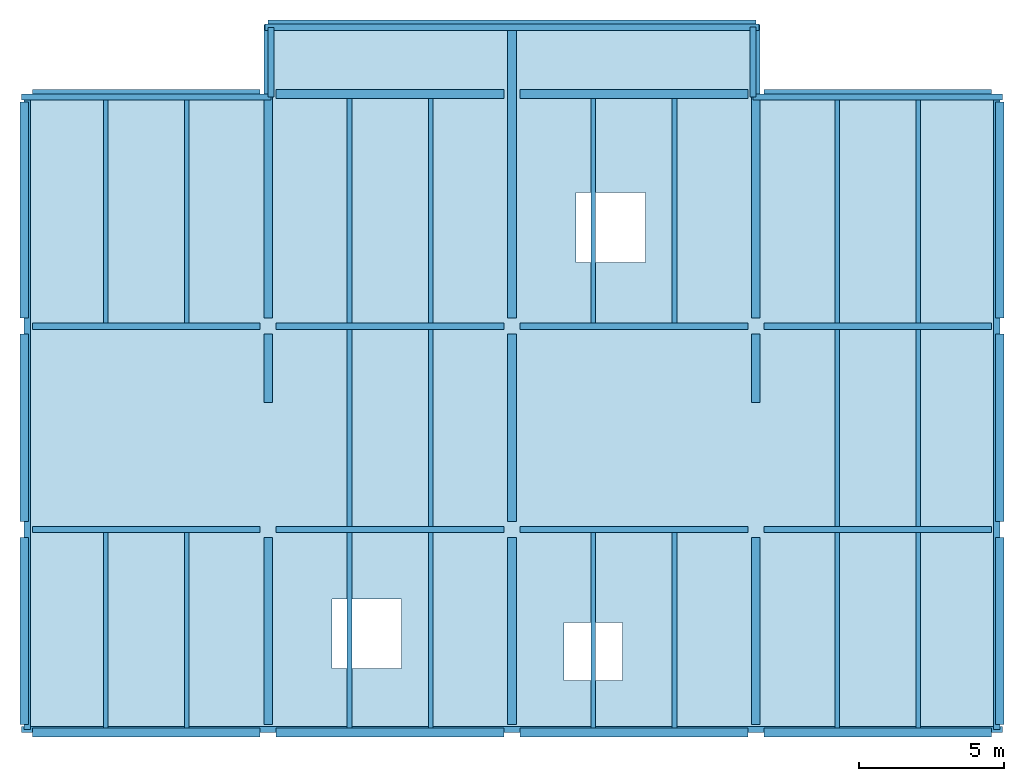
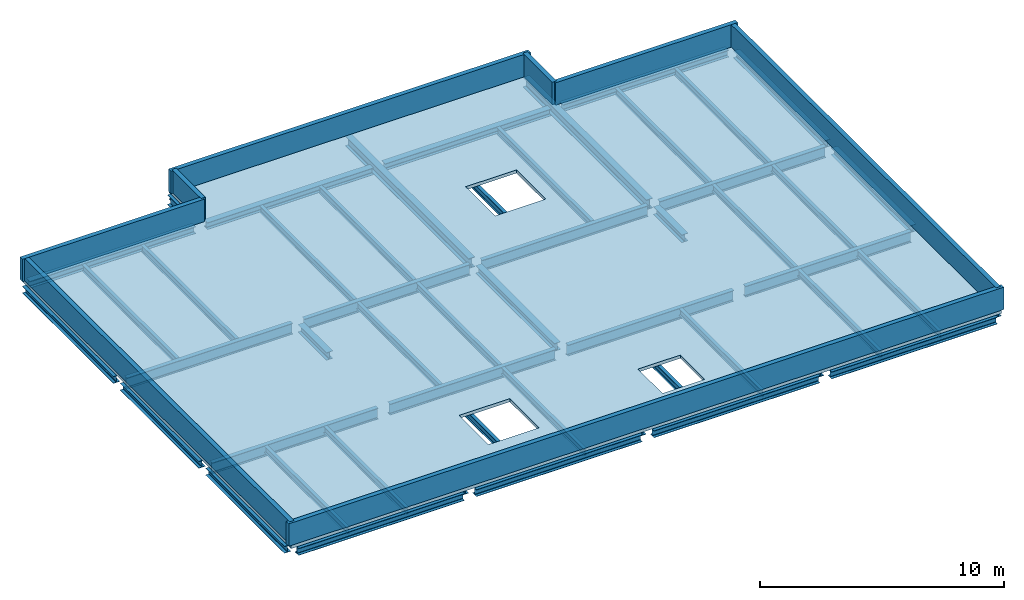
# One storey: 52 beams, 8 walls, 1 slab.
"""IFC4 building model written with IfcOpenShell, lengths in metres."""

from ifc_helpers import new_model, si_unit, direction, frame, frame_2d, origin, origin_2d, place, context, subcontext, project, spatial, polyline, rectangle, i_section, outline, extrude, material, layer, layer_set, material_profile, profile_set, type_object, element, save


model = new_model("IFC4")

# Units and contexts
model_context = context("Model", 3, precision=1e-05, world=origin(), true_north=direction((0.0, 1.0)))
body_context = subcontext(model_context, "Body", "Model", "MODEL_VIEW")
ifc_project = project(units=[si_unit("LENGTHUNIT", "METRE"), si_unit("AREAUNIT", "SQUARE_METRE"), si_unit("VOLUMEUNIT", "CUBIC_METRE"), si_unit("PLANEANGLEUNIT", "RADIAN"), si_unit("MASSUNIT", "GRAM", prefix="KILO"), si_unit("THERMODYNAMICTEMPERATUREUNIT", "KELVIN"), si_unit("POWERUNIT", "WATT")], contexts=[model_context])

# Site, building, storey
site_placement = place(None, origin())
site = spatial("IfcSite", under=ifc_project, at=site_placement, CompositionType="ELEMENT")
building_placement = place(site_placement, origin())
building = spatial("IfcBuilding", under=site, at=building_placement, Name="Mavoryth Pier Ferry Terminal", CompositionType="ELEMENT")
storey_placement = place(building_placement, frame((0.0, 0.0, 19.52001953125)))
storey = spatial("IfcBuildingStorey", under=building, at=storey_placement, Name="ROOF", CompositionType="ELEMENT", Elevation=19.52001953125)

# Beams
ifc_material_1 = material(Name="Steel S355J2", Category="steel")
ifc_material_profile_1 = material_profile(ifc_material_1, i_section(OverallWidth=0.300048828125, OverallDepth=0.389892578125, WebThickness=0.010986328125, FlangeThickness=0.01904296875, FilletRadius=0.027099609375, at=origin_2d()), Name="HEA 400", Category="steel")
ifc_profile_set_1 = profile_set([ifc_material_profile_1], Name="Steel S355J2 - HEA 400")
beam_type_1 = type_object("IfcBeamType", Name="Beam-Steel-HEA400", PredefinedType="BEAM", material=ifc_profile_set_1)
beam_1_placement = place(storey_placement, frame((50.39990234375, 0.27490234375, -0.35498046875), z_axis=(0.0, 1.0, 0.0), x_axis=(-1.0, 0.0, 0.0)))
element("IfcBeam", 1, at=beam_1_placement, inside=storey, type_object=beam_type_1, Name="Beam BOF-SB04-1537", PredefinedType="BEAM", context=body_context, shape_type="SweptSolid", body=[
    extrude(i_section(OverallWidth=0.300048828125, OverallDepth=0.389892578125, WebThickness=0.010986328125, FlangeThickness=0.01904296875, FilletRadius=0.027099609375, at=origin_2d()), origin(), (0.0, 0.0, 1.0), 6.4501953125),
])
beam_2_placement = place(storey_placement, frame((50.39990234375, 11.3798828125, -0.35498046875), z_axis=(0.0, 1.0, 0.0), x_axis=(-1.0, 0.0, 0.0)))
element("IfcBeam", 2, at=beam_2_placement, inside=storey, type_object=beam_type_1, Name="Beam BOF-SB04-1538", PredefinedType="BEAM", context=body_context, shape_type="SweptSolid", body=[
    extrude(i_section(OverallWidth=0.300048828125, OverallDepth=0.389892578125, WebThickness=0.010986328125, FlangeThickness=0.01904296875, FilletRadius=0.027099609375, at=origin_2d()), origin(), (0.0, 0.0, 1.0), 2.34521484375),
])
for number, where, z_axis, x_axis, name in (
    (3, (58.800048828125, 0.27490234375, -0.35498046875), (0.0, 1.0, 0.0), (-1.0, 0.0, 0.0), "Beam BOF-SB04-1539"),
    (4, (58.800048828125, 7.27490234375, -0.35498046875), (0.0, 1.0, 0.0), (-1.0, 0.0, 0.0), "Beam BOF-SB04-1540"),
    (5, (67.199951171875, 0.27490234375, -0.35498046875), (0.0, 1.0, 0.0), (-1.0, 0.0, 0.0), "Beam BOF-SB04-1541"),
):
    element("IfcBeam", number, at=place(storey_placement, frame(where, z_axis=z_axis, x_axis=x_axis)), inside=storey, type_object=beam_type_1, Name=name, PredefinedType="BEAM", context=body_context, shape_type="SweptSolid", body=[
        extrude(i_section(OverallWidth=0.300048828125, OverallDepth=0.389892578125, WebThickness=0.010986328125, FlangeThickness=0.01904296875, FilletRadius=0.027099609375, at=origin_2d()), origin(), (0.0, 0.0, 1.0), 6.4501953125),
    ])
beam_3_placement = place(storey_placement, frame((67.199951171875, 11.3798828125, -0.35498046875), z_axis=(0.0, 1.0, 0.0), x_axis=(-1.0, 0.0, 0.0)))
element("IfcBeam", 6, at=beam_3_placement, inside=storey, type_object=beam_type_1, Name="Beam BOF-SB04-1542", PredefinedType="BEAM", context=body_context, shape_type="SweptSolid", body=[
    extrude(i_section(OverallWidth=0.300048828125, OverallDepth=0.389892578125, WebThickness=0.010986328125, FlangeThickness=0.01904296875, FilletRadius=0.027099609375, at=origin_2d()), origin(), (0.0, 0.0, 1.0), 2.34521484375),
])
ifc_material_profile_2 = material_profile(ifc_material_1, i_section(OverallWidth=0.300048828125, OverallDepth=0.5, WebThickness=0.014404296875, FlangeThickness=0.028076171875, FilletRadius=0.027099609375, at=origin_2d()), Name="HEB 500", Category="steel")
ifc_profile_set_2 = profile_set([ifc_material_profile_2], Name="Steel S355J2 - HEB 500")
beam_type_2 = type_object("IfcBeamType", Name="Beam-Steel-HEB500", PredefinedType="BEAM", material=ifc_profile_set_2)
for number, where, z_axis, x_axis, name in (
    (7, (50.39990234375, 14.27490234375, -0.409912109375), (0.0, 1.0, 0.0), (-1.0, 0.0, 0.0), "Beam BOF-SB01-1600"),
    (8, (58.800048828125, 14.27490234375, -0.409912109375), (0.0, 1.0, 0.0), (-1.0, 0.0, 0.0), "Beam BOF-SB01-1601"),
    (9, (67.199951171875, 14.27490234375, -0.409912109375), (0.0, 1.0, 0.0), (-1.0, 0.0, 0.0), "Beam BOF-SB01-1602"),
):
    element("IfcBeam", number, at=place(storey_placement, frame(where, z_axis=z_axis, x_axis=x_axis)), inside=storey, type_object=beam_type_2, Name=name, PredefinedType="BEAM", context=body_context, shape_type="SweptSolid", body=[
        extrude(i_section(OverallWidth=0.300048828125, OverallDepth=0.5, WebThickness=0.014404296875, FlangeThickness=0.028076171875, FilletRadius=0.027099609375, at=origin_2d()), origin(), (0.0, 0.0, 1.0), 10.125),
    ])
ifc_material_profile_3 = material_profile(ifc_material_1, i_section(OverallWidth=0.2099609375, OverallDepth=0.550048828125, WebThickness=0.010986328125, FlangeThickness=0.01708984375, FilletRadius=0.02392578125, at=origin_2d()), Name="IPE 550", Category="steel")
ifc_profile_set_3 = profile_set([ifc_material_profile_3], Name="Steel S355J2 - IPE 550")
beam_type_3 = type_object("IfcBeamType", Name="Beam-Steel-IPE550", PredefinedType="BEAM", material=ifc_profile_set_3)
beam_4_placement = place(storey_placement, frame((42.27490234375, 7.0, -0.43505859375), z_axis=(1.0, 0.0, 0.0), x_axis=(0.0, 1.0, 0.0)))
element("IfcBeam", 10, at=beam_4_placement, inside=storey, type_object=beam_type_3, Name="Beam BOF-SB07-1522", PredefinedType="BEAM", context=body_context, shape_type="SweptSolid", body=[
    extrude(i_section(OverallWidth=0.2099609375, OverallDepth=0.550048828125, WebThickness=0.010986328125, FlangeThickness=0.01708984375, FilletRadius=0.02392578125, at=origin_2d()), origin(), (0.0, 0.0, 1.0), 7.85009765625),
])
beam_5_placement = place(storey_placement, frame((50.675048828125, 7.0, -0.43505859375), z_axis=(1.0, 0.0, 0.0), x_axis=(0.0, 1.0, 0.0)))
element("IfcBeam", 11, at=beam_5_placement, inside=storey, type_object=beam_type_3, Name="Beam BOF-SB07-1523", PredefinedType="BEAM", context=body_context, shape_type="SweptSolid", body=[
    extrude(i_section(OverallWidth=0.2099609375, OverallDepth=0.550048828125, WebThickness=0.010986328125, FlangeThickness=0.01708984375, FilletRadius=0.02392578125, at=origin_2d()), origin(), (0.0, 0.0, 1.0), 7.849853515625),
])
beam_6_placement = place(storey_placement, frame((59.074951171875, 7.0, -0.43505859375), z_axis=(1.0, 0.0, 0.0), x_axis=(0.0, 1.0, 0.0)))
element("IfcBeam", 12, at=beam_6_placement, inside=storey, type_object=beam_type_3, Name="Beam BOF-SB07-1524", PredefinedType="BEAM", context=body_context, shape_type="SweptSolid", body=[
    extrude(i_section(OverallWidth=0.2099609375, OverallDepth=0.550048828125, WebThickness=0.010986328125, FlangeThickness=0.01708984375, FilletRadius=0.02392578125, at=origin_2d()), origin(), (0.0, 0.0, 1.0), 7.85009765625),
])
beam_7_placement = place(storey_placement, frame((67.47509765625, 7.0, -0.43505859375), z_axis=(1.0, 0.0, 0.0), x_axis=(0.0, 1.0, 0.0)))
element("IfcBeam", 13, at=beam_7_placement, inside=storey, type_object=beam_type_3, Name="Beam BOF-SB07-1525", PredefinedType="BEAM", context=body_context, shape_type="SweptSolid", body=[
    extrude(i_section(OverallWidth=0.2099609375, OverallDepth=0.550048828125, WebThickness=0.010986328125, FlangeThickness=0.01708984375, FilletRadius=0.02392578125, at=origin_2d()), origin(), (0.0, 0.0, 1.0), 7.849853515625),
])
beam_8_placement = place(storey_placement, frame((42.27490234375, 14.0, -0.43505859375), z_axis=(1.0, 0.0, 0.0), x_axis=(0.0, 1.0, 0.0)))
element("IfcBeam", 14, at=beam_8_placement, inside=storey, type_object=beam_type_3, Name="Beam BOF-SB07-1526", PredefinedType="BEAM", context=body_context, shape_type="SweptSolid", body=[
    extrude(i_section(OverallWidth=0.2099609375, OverallDepth=0.550048828125, WebThickness=0.010986328125, FlangeThickness=0.01708984375, FilletRadius=0.02392578125, at=origin_2d()), origin(), (0.0, 0.0, 1.0), 7.85009765625),
])
beam_9_placement = place(storey_placement, frame((50.675048828125, 14.0, -0.43505859375), z_axis=(1.0, 0.0, 0.0), x_axis=(0.0, 1.0, 0.0)))
element("IfcBeam", 15, at=beam_9_placement, inside=storey, type_object=beam_type_3, Name="Beam BOF-SB07-1527", PredefinedType="BEAM", context=body_context, shape_type="SweptSolid", body=[
    extrude(i_section(OverallWidth=0.2099609375, OverallDepth=0.550048828125, WebThickness=0.010986328125, FlangeThickness=0.01708984375, FilletRadius=0.02392578125, at=origin_2d()), origin(), (0.0, 0.0, 1.0), 7.849853515625),
])
beam_10_placement = place(storey_placement, frame((59.074951171875, 14.0, -0.43505859375), z_axis=(1.0, 0.0, 0.0), x_axis=(0.0, 1.0, 0.0)))
element("IfcBeam", 16, at=beam_10_placement, inside=storey, type_object=beam_type_3, Name="Beam BOF-SB07-1528", PredefinedType="BEAM", context=body_context, shape_type="SweptSolid", body=[
    extrude(i_section(OverallWidth=0.2099609375, OverallDepth=0.550048828125, WebThickness=0.010986328125, FlangeThickness=0.01708984375, FilletRadius=0.02392578125, at=origin_2d()), origin(), (0.0, 0.0, 1.0), 7.85009765625),
])
beam_11_placement = place(storey_placement, frame((67.47509765625, 14.0, -0.43505859375), z_axis=(1.0, 0.0, 0.0), x_axis=(0.0, 1.0, 0.0)))
element("IfcBeam", 17, at=beam_11_placement, inside=storey, type_object=beam_type_3, Name="Beam BOF-SB07-1529", PredefinedType="BEAM", context=body_context, shape_type="SweptSolid", body=[
    extrude(i_section(OverallWidth=0.2099609375, OverallDepth=0.550048828125, WebThickness=0.010986328125, FlangeThickness=0.01708984375, FilletRadius=0.02392578125, at=origin_2d()), origin(), (0.0, 0.0, 1.0), 7.849853515625),
])
ifc_material_profile_4 = material_profile(ifc_material_1, i_section(OverallWidth=0.159912109375, OverallDepth=0.330078125, WebThickness=0.007568359375, FlangeThickness=0.011474609375, FilletRadius=0.01806640625, at=origin_2d()), Name="IPE 330", Category="steel")
ifc_profile_set_4 = profile_set([ifc_material_profile_4], Name="Steel S355J2 - IPE 330")
beam_type_4 = type_object("IfcBeamType", Name="Joist-Steel-IPE330", PredefinedType="JOIST", material=ifc_profile_set_4)
for number, where, z_axis, x_axis, name in (
    (18, (44.800048828125, 0.14990234375, -0.324951171875), (0.0, 1.0, 0.0), (-1.0, 0.0, 0.0), "Beam BOF-SJ03-1546"),
    (19, (47.60009765625, 0.14990234375, -0.324951171875), (0.0, 1.0, 0.0), (-1.0, 0.0, 0.0), "Beam BOF-SJ03-1547"),
):
    element("IfcBeam", number, at=place(storey_placement, frame(where, z_axis=z_axis, x_axis=x_axis)), inside=storey, type_object=beam_type_4, Name=name, PredefinedType="JOIST", context=body_context, shape_type="SweptSolid", body=[
        extrude(i_section(OverallWidth=0.159912109375, OverallDepth=0.330078125, WebThickness=0.007568359375, FlangeThickness=0.011474609375, FilletRadius=0.01806640625, at=origin_2d()), origin(), (0.0, 0.0, 1.0), 6.7451171875),
    ])
for number, where, z_axis, x_axis, name in (
    (20, (44.800048828125, 14.10498046875, -0.324951171875), (0.0, 1.0, 0.0), (-1.0, 0.0, 0.0), "Beam BOF-SJ03-1548"),
    (21, (47.60009765625, 14.10498046875, -0.324951171875), (0.0, 1.0, 0.0), (-1.0, 0.0, 0.0), "Beam BOF-SJ03-1549"),
):
    element("IfcBeam", number, at=place(storey_placement, frame(where, z_axis=z_axis, x_axis=x_axis)), inside=storey, type_object=beam_type_4, Name=name, PredefinedType="JOIST", context=body_context, shape_type="SweptSolid", body=[
        extrude(i_section(OverallWidth=0.159912109375, OverallDepth=0.330078125, WebThickness=0.007568359375, FlangeThickness=0.011474609375, FilletRadius=0.01806640625, at=origin_2d()), origin(), (0.0, 0.0, 1.0), 7.7451171875),
    ])
for number, where, z_axis, x_axis, name in (
    (22, (53.199951171875, 0.14990234375, -0.324951171875), (0.0, 1.0, 0.0), (-1.0, 0.0, 0.0), "Beam BOF-SJ03-1550"),
    (23, (56.0, 0.14990234375, -0.324951171875), (0.0, 1.0, 0.0), (-1.0, 0.0, 0.0), "Beam BOF-SJ03-1551"),
):
    element("IfcBeam", number, at=place(storey_placement, frame(where, z_axis=z_axis, x_axis=x_axis)), inside=storey, type_object=beam_type_4, Name=name, PredefinedType="JOIST", context=body_context, shape_type="SweptSolid", body=[
        extrude(i_section(OverallWidth=0.159912109375, OverallDepth=0.330078125, WebThickness=0.007568359375, FlangeThickness=0.011474609375, FilletRadius=0.01806640625, at=origin_2d()), origin(), (0.0, 0.0, 1.0), 6.7451171875),
    ])
for number, where, z_axis, x_axis, name in (
    (24, (53.199951171875, 7.10498046875, -0.324951171875), (0.0, 1.0, 0.0), (-1.0, 0.0, 0.0), "Beam BOF-SJ03-1552"),
    (25, (56.0, 7.10498046875, -0.324951171875), (0.0, 1.0, 0.0), (-1.0, 0.0, 0.0), "Beam BOF-SJ03-1553"),
):
    element("IfcBeam", number, at=place(storey_placement, frame(where, z_axis=z_axis, x_axis=x_axis)), inside=storey, type_object=beam_type_4, Name=name, PredefinedType="JOIST", context=body_context, shape_type="SweptSolid", body=[
        extrude(i_section(OverallWidth=0.159912109375, OverallDepth=0.330078125, WebThickness=0.007568359375, FlangeThickness=0.011474609375, FilletRadius=0.01806640625, at=origin_2d()), origin(), (0.0, 0.0, 1.0), 6.7900390625),
    ])
for number, where, z_axis, x_axis, name in (
    (26, (53.199951171875, 14.10498046875, -0.324951171875), (0.0, 1.0, 0.0), (-1.0, 0.0, 0.0), "Beam BOF-SJ03-1554"),
    (27, (56.0, 14.10498046875, -0.324951171875), (0.0, 1.0, 0.0), (-1.0, 0.0, 0.0), "Beam BOF-SJ03-1555"),
):
    element("IfcBeam", number, at=place(storey_placement, frame(where, z_axis=z_axis, x_axis=x_axis)), inside=storey, type_object=beam_type_4, Name=name, PredefinedType="JOIST", context=body_context, shape_type="SweptSolid", body=[
        extrude(i_section(OverallWidth=0.159912109375, OverallDepth=0.330078125, WebThickness=0.007568359375, FlangeThickness=0.011474609375, FilletRadius=0.01806640625, at=origin_2d()), origin(), (0.0, 0.0, 1.0), 7.7451171875),
    ])
for number, where, z_axis, x_axis, name in (
    (28, (61.60009765625, 0.14990234375, -0.324951171875), (0.0, 1.0, 0.0), (-1.0, 0.0, 0.0), "Beam BOF-SJ03-1556"),
    (29, (64.39990234375, 0.14990234375, -0.324951171875), (0.0, 1.0, 0.0), (-1.0, 0.0, 0.0), "Beam BOF-SJ03-1557"),
):
    element("IfcBeam", number, at=place(storey_placement, frame(where, z_axis=z_axis, x_axis=x_axis)), inside=storey, type_object=beam_type_4, Name=name, PredefinedType="JOIST", context=body_context, shape_type="SweptSolid", body=[
        extrude(i_section(OverallWidth=0.159912109375, OverallDepth=0.330078125, WebThickness=0.007568359375, FlangeThickness=0.011474609375, FilletRadius=0.01806640625, at=origin_2d()), origin(), (0.0, 0.0, 1.0), 6.7451171875),
    ])
for number, where, z_axis, x_axis, name in (
    (30, (61.60009765625, 14.10498046875, -0.324951171875), (0.0, 1.0, 0.0), (-1.0, 0.0, 0.0), "Beam BOF-SJ03-1558"),
    (31, (64.39990234375, 14.10498046875, -0.324951171875), (0.0, 1.0, 0.0), (-1.0, 0.0, 0.0), "Beam BOF-SJ03-1559"),
):
    element("IfcBeam", number, at=place(storey_placement, frame(where, z_axis=z_axis, x_axis=x_axis)), inside=storey, type_object=beam_type_4, Name=name, PredefinedType="JOIST", context=body_context, shape_type="SweptSolid", body=[
        extrude(i_section(OverallWidth=0.159912109375, OverallDepth=0.330078125, WebThickness=0.007568359375, FlangeThickness=0.011474609375, FilletRadius=0.01806640625, at=origin_2d()), origin(), (0.0, 0.0, 1.0), 7.7451171875),
    ])
for number, where, z_axis, x_axis, name in (
    (32, (70.0, 0.14990234375, -0.324951171875), (0.0, 1.0, 0.0), (-1.0, 0.0, 0.0), "Beam BOF-SJ03-1560"),
    (33, (72.800048828125, 0.14990234375, -0.324951171875), (0.0, 1.0, 0.0), (-1.0, 0.0, 0.0), "Beam BOF-SJ03-1561"),
):
    element("IfcBeam", number, at=place(storey_placement, frame(where, z_axis=z_axis, x_axis=x_axis)), inside=storey, type_object=beam_type_4, Name=name, PredefinedType="JOIST", context=body_context, shape_type="SweptSolid", body=[
        extrude(i_section(OverallWidth=0.159912109375, OverallDepth=0.330078125, WebThickness=0.007568359375, FlangeThickness=0.011474609375, FilletRadius=0.01806640625, at=origin_2d()), origin(), (0.0, 0.0, 1.0), 6.7451171875),
    ])
for number, where, z_axis, x_axis, name in (
    (34, (70.0, 7.10498046875, -0.324951171875), (0.0, 1.0, 0.0), (-1.0, 0.0, 0.0), "Beam BOF-SJ03-1562"),
    (35, (72.800048828125, 7.10498046875, -0.324951171875), (0.0, 1.0, 0.0), (-1.0, 0.0, 0.0), "Beam BOF-SJ03-1563"),
):
    element("IfcBeam", number, at=place(storey_placement, frame(where, z_axis=z_axis, x_axis=x_axis)), inside=storey, type_object=beam_type_4, Name=name, PredefinedType="JOIST", context=body_context, shape_type="SweptSolid", body=[
        extrude(i_section(OverallWidth=0.159912109375, OverallDepth=0.330078125, WebThickness=0.007568359375, FlangeThickness=0.011474609375, FilletRadius=0.01806640625, at=origin_2d()), origin(), (0.0, 0.0, 1.0), 6.7900390625),
    ])
for number, where, z_axis, x_axis, name in (
    (36, (70.0, 14.10498046875, -0.324951171875), (0.0, 1.0, 0.0), (-1.0, 0.0, 0.0), "Beam BOF-SJ03-1564"),
    (37, (72.800048828125, 14.10498046875, -0.324951171875), (0.0, 1.0, 0.0), (-1.0, 0.0, 0.0), "Beam BOF-SJ03-1565"),
):
    element("IfcBeam", number, at=place(storey_placement, frame(where, z_axis=z_axis, x_axis=x_axis)), inside=storey, type_object=beam_type_4, Name=name, PredefinedType="JOIST", context=body_context, shape_type="SweptSolid", body=[
        extrude(i_section(OverallWidth=0.159912109375, OverallDepth=0.330078125, WebThickness=0.007568359375, FlangeThickness=0.011474609375, FilletRadius=0.01806640625, at=origin_2d()), origin(), (0.0, 0.0, 1.0), 7.7451171875),
    ])
ifc_material_profile_5 = material_profile(ifc_material_1, i_section(OverallWidth=0.300048828125, OverallDepth=0.35009765625, WebThickness=0.010009765625, FlangeThickness=0.017578125, FilletRadius=0.027099609375, at=origin_2d()), Name="HEA 360", Category="steel")
ifc_profile_set_5 = profile_set([ifc_material_profile_5], Name="Steel S355J2 - HEA 360")
beam_type_5 = type_object("IfcBeamType", Name="Spandrel-Steel-HEA360", PredefinedType="SPANDREL", material=ifc_profile_set_5)
beam_12_placement = place(storey_placement, frame((42.27490234375, 0.0, -0.3349609375), z_axis=(1.0, 0.0, 0.0), x_axis=(0.0, 1.0, 0.0)))
element("IfcBeam", 38, at=beam_12_placement, inside=storey, type_object=beam_type_5, Name="Beam BOF-SP03-1518", PredefinedType="SPANDREL", context=body_context, shape_type="SweptSolid", body=[
    extrude(i_section(OverallWidth=0.300048828125, OverallDepth=0.35009765625, WebThickness=0.010009765625, FlangeThickness=0.017578125, FilletRadius=0.027099609375, at=origin_2d()), origin(), (0.0, 0.0, 1.0), 7.85009765625),
])
beam_13_placement = place(storey_placement, frame((50.675048828125, 0.0, -0.3349609375), z_axis=(1.0, 0.0, 0.0), x_axis=(0.0, 1.0, 0.0)))
element("IfcBeam", 39, at=beam_13_placement, inside=storey, type_object=beam_type_5, Name="Beam BOF-SP03-1519", PredefinedType="SPANDREL", context=body_context, shape_type="SweptSolid", body=[
    extrude(i_section(OverallWidth=0.300048828125, OverallDepth=0.35009765625, WebThickness=0.010009765625, FlangeThickness=0.017578125, FilletRadius=0.027099609375, at=origin_2d()), origin(), (0.0, 0.0, 1.0), 7.849853515625),
])
beam_14_placement = place(storey_placement, frame((59.074951171875, 0.0, -0.3349609375), z_axis=(1.0, 0.0, 0.0), x_axis=(0.0, 1.0, 0.0)))
element("IfcBeam", 40, at=beam_14_placement, inside=storey, type_object=beam_type_5, Name="Beam BOF-SP03-1520", PredefinedType="SPANDREL", context=body_context, shape_type="SweptSolid", body=[
    extrude(i_section(OverallWidth=0.300048828125, OverallDepth=0.35009765625, WebThickness=0.010009765625, FlangeThickness=0.017578125, FilletRadius=0.027099609375, at=origin_2d()), origin(), (0.0, 0.0, 1.0), 7.85009765625),
])
beam_15_placement = place(storey_placement, frame((67.47509765625, 0.0, -0.3349609375), z_axis=(1.0, 0.0, 0.0), x_axis=(0.0, 1.0, 0.0)))
element("IfcBeam", 41, at=beam_15_placement, inside=storey, type_object=beam_type_5, Name="Beam BOF-SP03-1521", PredefinedType="SPANDREL", context=body_context, shape_type="SweptSolid", body=[
    extrude(i_section(OverallWidth=0.300048828125, OverallDepth=0.35009765625, WebThickness=0.010009765625, FlangeThickness=0.017578125, FilletRadius=0.027099609375, at=origin_2d()), origin(), (0.0, 0.0, 1.0), 7.849853515625),
])
beam_16_placement = place(storey_placement, frame((42.27490234375, 22.0, -0.3349609375), z_axis=(1.0, 0.0, 0.0), x_axis=(0.0, 1.0, 0.0)))
element("IfcBeam", 42, at=beam_16_placement, inside=storey, type_object=beam_type_5, Name="Beam BOF-SP03-1530", PredefinedType="SPANDREL", context=body_context, shape_type="SweptSolid", body=[
    extrude(i_section(OverallWidth=0.300048828125, OverallDepth=0.35009765625, WebThickness=0.010009765625, FlangeThickness=0.017578125, FilletRadius=0.027099609375, at=origin_2d()), origin(), (0.0, 0.0, 1.0), 7.85009765625),
])
beam_17_placement = place(storey_placement, frame((50.675048828125, 22.0, -0.3349609375), z_axis=(1.0, 0.0, 0.0), x_axis=(0.0, 1.0, 0.0)))
element("IfcBeam", 43, at=beam_17_placement, inside=storey, type_object=beam_type_5, Name="Beam BOF-SP03-1531", PredefinedType="SPANDREL", context=body_context, shape_type="SweptSolid", body=[
    extrude(i_section(OverallWidth=0.300048828125, OverallDepth=0.35009765625, WebThickness=0.010009765625, FlangeThickness=0.017578125, FilletRadius=0.027099609375, at=origin_2d()), origin(), (0.0, 0.0, 1.0), 7.849853515625),
])
beam_18_placement = place(storey_placement, frame((59.074951171875, 22.0, -0.3349609375), z_axis=(1.0, 0.0, 0.0), x_axis=(0.0, 1.0, 0.0)))
element("IfcBeam", 44, at=beam_18_placement, inside=storey, type_object=beam_type_5, Name="Beam BOF-SP03-1532", PredefinedType="SPANDREL", context=body_context, shape_type="SweptSolid", body=[
    extrude(i_section(OverallWidth=0.300048828125, OverallDepth=0.35009765625, WebThickness=0.010009765625, FlangeThickness=0.017578125, FilletRadius=0.027099609375, at=origin_2d()), origin(), (0.0, 0.0, 1.0), 7.85009765625),
])
beam_19_placement = place(storey_placement, frame((67.47509765625, 22.0, -0.3349609375), z_axis=(1.0, 0.0, 0.0), x_axis=(0.0, 1.0, 0.0)))
element("IfcBeam", 45, at=beam_19_placement, inside=storey, type_object=beam_type_5, Name="Beam BOF-SP03-1533", PredefinedType="SPANDREL", context=body_context, shape_type="SweptSolid", body=[
    extrude(i_section(OverallWidth=0.300048828125, OverallDepth=0.35009765625, WebThickness=0.010009765625, FlangeThickness=0.017578125, FilletRadius=0.027099609375, at=origin_2d()), origin(), (0.0, 0.0, 1.0), 7.849853515625),
])
for number, where, z_axis, x_axis, name in (
    (46, (42.0, 0.27490234375, -0.3349609375), (0.0, 1.0, 0.0), (-1.0, 0.0, 0.0), "Beam BOF-SP03-1534"),
    (47, (42.0, 7.27490234375, -0.3349609375), (0.0, 1.0, 0.0), (-1.0, 0.0, 0.0), "Beam BOF-SP03-1535"),
):
    element("IfcBeam", number, at=place(storey_placement, frame(where, z_axis=z_axis, x_axis=x_axis)), inside=storey, type_object=beam_type_5, Name=name, PredefinedType="SPANDREL", context=body_context, shape_type="SweptSolid", body=[
        extrude(i_section(OverallWidth=0.300048828125, OverallDepth=0.35009765625, WebThickness=0.010009765625, FlangeThickness=0.017578125, FilletRadius=0.027099609375, at=origin_2d()), origin(), (0.0, 0.0, 1.0), 6.4501953125),
    ])
beam_20_placement = place(storey_placement, frame((42.0, 14.27490234375, -0.3349609375), z_axis=(0.0, 1.0, 0.0), x_axis=(-1.0, 0.0, 0.0)))
element("IfcBeam", 48, at=beam_20_placement, inside=storey, type_object=beam_type_5, Name="Beam BOF-SP03-1536", PredefinedType="SPANDREL", context=body_context, shape_type="SweptSolid", body=[
    extrude(i_section(OverallWidth=0.300048828125, OverallDepth=0.35009765625, WebThickness=0.010009765625, FlangeThickness=0.017578125, FilletRadius=0.027099609375, at=origin_2d()), origin(), (0.0, 0.0, 1.0), 7.4501953125),
])
for number, where, z_axis, x_axis, name in (
    (49, (75.60009765625, 0.27490234375, -0.3349609375), (0.0, 1.0, 0.0), (-1.0, 0.0, 0.0), "Beam BOF-SP03-1543"),
    (50, (75.60009765625, 7.27490234375, -0.3349609375), (0.0, 1.0, 0.0), (-1.0, 0.0, 0.0), "Beam BOF-SP03-1544"),
):
    element("IfcBeam", number, at=place(storey_placement, frame(where, z_axis=z_axis, x_axis=x_axis)), inside=storey, type_object=beam_type_5, Name=name, PredefinedType="SPANDREL", context=body_context, shape_type="SweptSolid", body=[
        extrude(i_section(OverallWidth=0.300048828125, OverallDepth=0.35009765625, WebThickness=0.010009765625, FlangeThickness=0.017578125, FilletRadius=0.027099609375, at=origin_2d()), origin(), (0.0, 0.0, 1.0), 6.4501953125),
    ])
beam_21_placement = place(storey_placement, frame((75.60009765625, 14.27490234375, -0.3349609375), z_axis=(0.0, 1.0, 0.0), x_axis=(-1.0, 0.0, 0.0)))
element("IfcBeam", 51, at=beam_21_placement, inside=storey, type_object=beam_type_5, Name="Beam BOF-SP03-1545", PredefinedType="SPANDREL", context=body_context, shape_type="SweptSolid", body=[
    extrude(i_section(OverallWidth=0.300048828125, OverallDepth=0.35009765625, WebThickness=0.010009765625, FlangeThickness=0.017578125, FilletRadius=0.027099609375, at=origin_2d()), origin(), (0.0, 0.0, 1.0), 7.4501953125),
])
beam_22_placement = place(storey_placement, frame((50.39990234375, 24.39990234375, -0.3349609375), z_axis=(1.0, 0.0, 0.0), x_axis=(0.0, 1.0, 0.0)))
element("IfcBeam", 52, at=beam_22_placement, inside=storey, type_object=beam_type_5, Name="Beam BOF-SP03-1603", PredefinedType="SPANDREL", context=body_context, shape_type="SweptSolid", body=[
    extrude(i_section(OverallWidth=0.300048828125, OverallDepth=0.35009765625, WebThickness=0.010009765625, FlangeThickness=0.017578125, FilletRadius=0.027099609375, at=origin_2d()), origin(), (0.0, 0.0, 1.0), 16.800048828125),
])

# Slab
ifc_material_2 = material(Name="Concrete C35/45", Category="concrete")
ifc_layer_1 = layer(ifc_material_2, 0.159912109375, Name="Concrete C35/45", Category="concrete")
ifc_layer_set_1 = layer_set([ifc_layer_1], Name="Concrete C35/45 - Slab-Roof-Canopy-160")
slab_type = type_object("IfcSlabType", Name="Slab-Roof-Canopy-160", PredefinedType="ROOF", material=ifc_layer_set_1)
slab_placement = place(storey_placement, frame((0.0, 0.0, -0.159912109375)))
element("IfcSlab", 53, at=slab_placement, inside=storey, type_object=slab_type, Name="Slab SLB-V5-RF", PredefinedType="ROOF", context=body_context, shape_type="SweptSolid", body=[
    extrude(outline(polyline([(42.0, 0.0), (75.60009765625, 0.0), (75.60009765625, 22.0), (67.199951171875, 22.0), (67.199951171875, 24.39990234375), (50.39990234375, 24.39990234375), (50.39990234375, 22.0), (42.0, 22.0), (42.0, 0.0)]), holes=[polyline([(52.60009765625, 2.199951171875), (55.0, 2.199951171875), (55.0, 4.60009765625), (52.60009765625, 4.60009765625), (52.60009765625, 2.199951171875)]), polyline([(61.0, 16.199951171875), (63.39990234375, 16.199951171875), (63.39990234375, 18.60009765625), (61.0, 18.60009765625), (61.0, 16.199951171875)]), polyline([(60.60009765625, 1.800048828125), (62.60009765625, 1.800048828125), (62.60009765625, 3.800048828125), (60.60009765625, 3.800048828125), (60.60009765625, 1.800048828125)])]), origin(), (0.0, 0.0, 1.0), 0.159912109375),
])

# Walls
ifc_layer_2 = layer(ifc_material_2, 0.2099609375, Name="Concrete C35/45", Category="concrete")
ifc_layer_set_2 = layer_set([ifc_layer_2], Name="Concrete C35/45 - Parapet-Roof-RC210")
wall_type = type_object("IfcWallType", Name="Parapet-Roof-RC210", PredefinedType="PARAPET", material=ifc_layer_set_2)
wall_1_placement = place(storey_placement, frame((41.89501953125, 0.10009765625, 0.0), z_axis=(0.0, 0.0, 1.0), x_axis=(1.0, 0.0, 0.0)))
element("IfcWall", 54, at=wall_1_placement, inside=storey, type_object=wall_type, Name="Exterior Wall EW-ROOF-182", PredefinedType="PARAPET", context=body_context, shape_type="SweptSolid", body=[
    extrude(rectangle(XDim=33.81005859375, YDim=0.2099609375, at=frame_2d((16.905029296875, 0.0))), origin(), (0.0, 0.0, 1.0), 1.119873046875),
])
wall_2_placement = place(storey_placement, frame((75.5, 0.10498046875, 0.0), z_axis=(0.0, 0.0, 1.0), x_axis=(0.0, 1.0, 0.0)))
element("IfcWall", 55, at=wall_2_placement, inside=storey, type_object=wall_type, Name="Exterior Wall EW-ROOF-183", PredefinedType="PARAPET", context=body_context, shape_type="SweptSolid", body=[
    extrude(rectangle(XDim=21.7900390625, YDim=0.2099609375, at=frame_2d((10.89501953125, 0.0))), origin(), (0.0, 0.0, 1.0), 1.119873046875),
])
wall_3_placement = place(storey_placement, frame((75.705078125, 21.89990234375, 0.0), z_axis=(0.0, 0.0, 1.0), x_axis=(-1.0, 0.0, 0.0)))
element("IfcWall", 56, at=wall_3_placement, inside=storey, type_object=wall_type, Name="Exterior Wall EW-ROOF-184", PredefinedType="PARAPET", context=body_context, shape_type="SweptSolid", body=[
    extrude(rectangle(XDim=8.60498046875, YDim=0.2099609375, at=frame_2d((4.302490234375, 0.0))), origin(), (0.0, 0.0, 1.0), 1.119873046875),
])
wall_4_placement = place(storey_placement, frame((67.10009765625, 21.89990234375, 0.0), z_axis=(0.0, 0.0, 1.0), x_axis=(0.0, 1.0, 0.0)))
element("IfcWall", 57, at=wall_4_placement, inside=storey, type_object=wall_type, Name="Exterior Wall EW-ROOF-185", PredefinedType="PARAPET", context=body_context, shape_type="SweptSolid", body=[
    extrude(rectangle(XDim=2.400146484375, YDim=0.2099609375, at=frame_2d((1.2001953125, 0.0))), origin(), (0.0, 0.0, 1.0), 1.119873046875),
])
wall_5_placement = place(storey_placement, frame((67.304931640625, 24.300048828125, 0.0), z_axis=(0.0, 0.0, 1.0), x_axis=(-1.0, 0.0, 0.0)))
element("IfcWall", 58, at=wall_5_placement, inside=storey, type_object=wall_type, Name="Exterior Wall EW-ROOF-186", PredefinedType="PARAPET", context=body_context, shape_type="SweptSolid", body=[
    extrude(rectangle(XDim=17.010009765625, YDim=0.2099609375, at=frame_2d((8.5048828125, 0.0))), origin(), (0.0, 0.0, 1.0), 1.119873046875),
])
wall_6_placement = place(storey_placement, frame((50.5, 24.300048828125, 0.0), z_axis=(0.0, 0.0, 1.0), x_axis=(0.0, -1.0, 0.0)))
element("IfcWall", 59, at=wall_6_placement, inside=storey, type_object=wall_type, Name="Exterior Wall EW-ROOF-187", PredefinedType="PARAPET", context=body_context, shape_type="SweptSolid", body=[
    extrude(rectangle(XDim=2.400146484375, YDim=0.2099609375, at=frame_2d((1.2001953125, 0.0))), origin(), (0.0, 0.0, 1.0), 1.119873046875),
])
wall_7_placement = place(storey_placement, frame((50.5, 21.89990234375, 0.0), z_axis=(0.0, 0.0, 1.0), x_axis=(-1.0, 0.0, 0.0)))
element("IfcWall", 60, at=wall_7_placement, inside=storey, type_object=wall_type, Name="Exterior Wall EW-ROOF-188", PredefinedType="PARAPET", context=body_context, shape_type="SweptSolid", body=[
    extrude(rectangle(XDim=8.60498046875, YDim=0.2099609375, at=frame_2d((4.302490234375, 0.0))), origin(), (0.0, 0.0, 1.0), 1.119873046875),
])
wall_8_placement = place(storey_placement, frame((42.10009765625, 21.89501953125, 0.0), z_axis=(0.0, 0.0, 1.0), x_axis=(0.0, -1.0, 0.0)))
element("IfcWall", 61, at=wall_8_placement, inside=storey, type_object=wall_type, Name="Exterior Wall EW-ROOF-189", PredefinedType="PARAPET", context=body_context, shape_type="SweptSolid", body=[
    extrude(rectangle(XDim=21.7900390625, YDim=0.2099609375, at=frame_2d((10.89501953125, 0.0))), origin(), (0.0, 0.0, 1.0), 1.119873046875),
])

save(model, "model.ifc")
